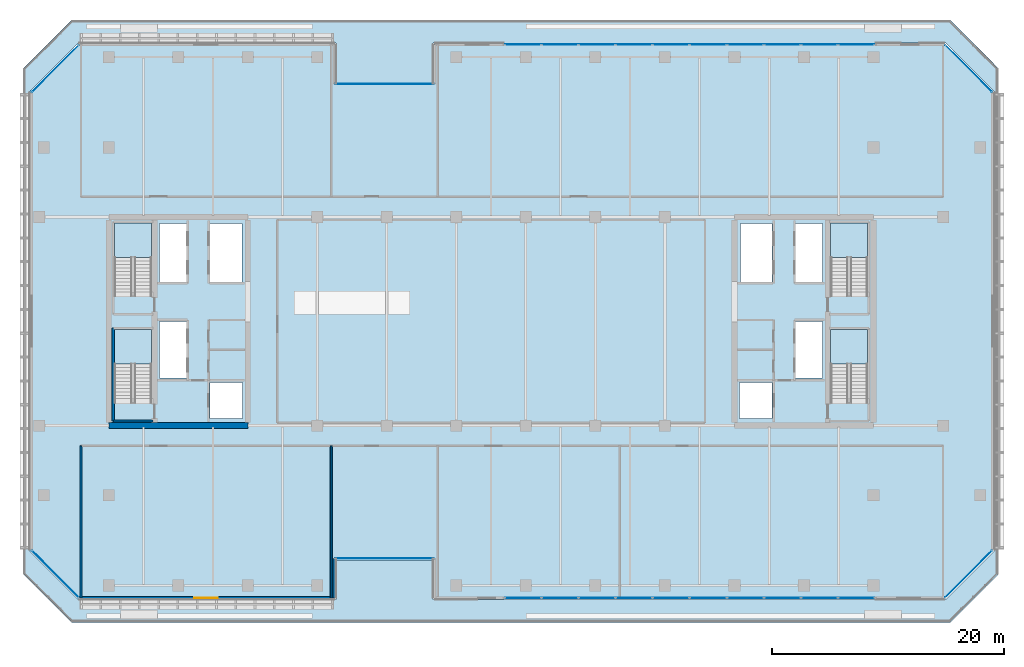
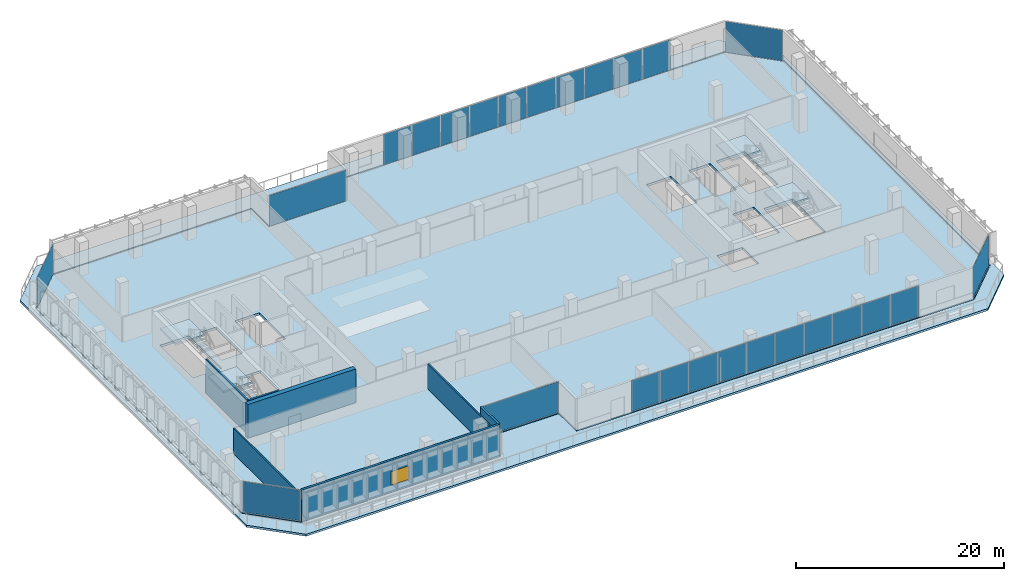
# One storey, part 27 of 38: 26 plates, 7 walls, 6 slabs, 1 window, 1 opening, 12 elements without a shape of their own.
"""IFC4 building model written with IfcOpenShell, lengths in metres."""

from ifc_helpers import new_model, si_unit, direction, frame, frame_2d, origin, origin_2d, place, context, subcontext, project, spatial, polyline, rectangle, outline, extrude, material, layer, layer_set, type_object, element, fill, aggregate, save


model = new_model("IFC4")

# Units and contexts
model_context = context("Model", 3, precision=1e-05, world=origin(), true_north=direction((0.0, 1.0)))
body_context = subcontext(model_context, "Body", "Model", "MODEL_VIEW")
ifc_project = project(units=[si_unit("LENGTHUNIT", "METRE"), si_unit("AREAUNIT", "SQUARE_METRE"), si_unit("VOLUMEUNIT", "CUBIC_METRE"), si_unit("PLANEANGLEUNIT", "RADIAN"), si_unit("MASSUNIT", "GRAM", prefix="KILO")], contexts=[model_context])

# Site, building, storey
site_placement = place(None, origin())
site = spatial("IfcSite", under=ifc_project, at=site_placement, CompositionType="ELEMENT")
building_placement = place(site_placement, origin())
building = spatial("IfcBuilding", under=site, at=building_placement, Name="Tanjung Sevakor Pilgrim Tower", CompositionType="ELEMENT")
storey_placement = place(building_placement, frame((0.0, 0.0, 78.2099609375)))
storey = spatial("IfcBuildingStorey", under=building, at=storey_placement, Name="L21", CompositionType="ELEMENT", Elevation=78.2099609375)

# Stair, slab
ifc_material_1 = material(Name="Concrete C40/50", Category="concrete")
stair_type = type_object("IfcStairType", Name="STAIR-ST-CR150", PredefinedType="HALF_TURN_STAIR", material=ifc_material_1)
stair_1_placement = place(storey_placement, origin())
stair_1 = element("IfcStair", 1, at=stair_1_placement, inside=storey, type_object=stair_type, Name="L21 West Core Exit Stair 1", PredefinedType="HALF_TURN_STAIR")
ifc_material_2 = material(Name="Concrete C40/50", Category="concrete")
ifc_layer_1 = layer(ifc_material_2, 0.199951171875)
ifc_layer_set_1 = layer_set([ifc_layer_1], Name="SL-LAND-200")
slab_type_1 = type_object("IfcSlabType", Name="SL-LAND-200", PredefinedType="LANDING", material=ifc_layer_set_1)
slab_1_placement = place(storey_placement, frame((0.0, 0.0, 1.780029296875)))
slab_1 = element("IfcSlab", 2, at=slab_1_placement, type_object=slab_type_1, Name="TS-W1 landing 1", PredefinedType="LANDING", context=body_context, shape_type="SweptSolid", body=[
    extrude(outline(polyline([(27.699951171875, 29.89990234375), (27.699951171875, 32.89990234375), (24.5, 32.89990234375), (24.5, 29.89990234375), (27.699951171875, 29.89990234375)])), origin(), (0.0, 0.0, 1.0), 0.199951171875),
])
aggregate(stair_1, [slab_1])

stair_2_placement = place(storey_placement, origin())
stair_2 = element("IfcStair", 3, at=stair_2_placement, inside=storey, type_object=stair_type, Name="L21 West Core Exit Stair 2", PredefinedType="HALF_TURN_STAIR")
slab_2_placement = place(storey_placement, frame((0.0, 0.0, 1.780029296875)))
slab_2 = element("IfcSlab", 4, at=slab_2_placement, type_object=slab_type_1, Name="TS-W2 landing 1", PredefinedType="LANDING", context=body_context, shape_type="SweptSolid", body=[
    extrude(outline(polyline([(27.699951171875, 39.10009765625), (27.699951171875, 42.10009765625), (24.5, 42.10009765625), (24.5, 39.10009765625), (27.699951171875, 39.10009765625)])), origin(), (0.0, 0.0, 1.0), 0.199951171875),
])
aggregate(stair_2, [slab_2])

stair_3_placement = place(storey_placement, origin())
stair_3 = element("IfcStair", 5, at=stair_3_placement, inside=storey, type_object=stair_type, Name="L21 East Core Exit Stair 1", PredefinedType="HALF_TURN_STAIR")
slab_3_placement = place(storey_placement, frame((0.0, 0.0, 1.780029296875)))
slab_3 = element("IfcSlab", 6, at=slab_3_placement, type_object=slab_type_1, Name="TS-E1 landing 1", PredefinedType="LANDING", context=body_context, shape_type="SweptSolid", body=[
    extrude(outline(polyline([(89.5, 29.89990234375), (89.5, 32.89990234375), (86.300048828125, 32.89990234375), (86.300048828125, 29.89990234375), (89.5, 29.89990234375)])), origin(), (0.0, 0.0, 1.0), 0.199951171875),
])
aggregate(stair_3, [slab_3])

stair_4_placement = place(storey_placement, origin())
stair_4 = element("IfcStair", 7, at=stair_4_placement, inside=storey, type_object=stair_type, Name="L21 East Core Exit Stair 2", PredefinedType="HALF_TURN_STAIR")
slab_4_placement = place(storey_placement, frame((0.0, 0.0, 1.780029296875)))
slab_4 = element("IfcSlab", 8, at=slab_4_placement, type_object=slab_type_1, Name="TS-E2 landing 1", PredefinedType="LANDING", context=body_context, shape_type="SweptSolid", body=[
    extrude(outline(polyline([(89.5, 39.10009765625), (89.5, 42.10009765625), (86.300048828125, 42.10009765625), (86.300048828125, 39.10009765625), (89.5, 39.10009765625)])), origin(), (0.0, 0.0, 1.0), 0.199951171875),
])
aggregate(stair_4, [slab_4])

# Slabs
ifc_material_3 = material(Name="Concrete C40/50", Category="concrete")
ifc_layer_2 = layer(ifc_material_3, 0.280029296875)
ifc_layer_set_2 = layer_set([ifc_layer_2], Name="SL-SKY-280")
slab_type_2 = type_object("IfcSlabType", Name="SL-SKY-280", PredefinedType="FLOOR", material=ifc_layer_set_2)
slab_5_placement = place(storey_placement, frame((0.0, 0.0, -0.280029296875)))
element("IfcSlab", 9, at=slab_5_placement, inside=storey, type_object=slab_type_2, Name="L21 Floor Slab MAIN", PredefinedType="FLOOR", context=body_context, shape_type="SweptSolid", body=[
    extrude(outline(polyline([(21.447021484375, 9.679931640625), (43.52001953125, 9.679931640625), (43.52001953125, 13.080078125), (52.080078125, 13.080078125), (52.080078125, 9.679931640625), (96.153076171875, 9.679931640625), (100.320068359375, 13.846923828125), (100.320068359375, 53.35302734375), (96.153076171875, 57.52001953125), (52.080078125, 57.52001953125), (52.080078125, 54.1201171875), (43.52001953125, 54.1201171875), (43.52001953125, 57.52001953125), (21.447021484375, 57.52001953125), (17.280029296875, 53.35302734375), (17.280029296875, 13.846923828125), (21.447021484375, 9.679931640625)]), holes=[polyline([(27.699951171875, 26.60009765625), (27.699951171875, 32.89990234375), (24.5, 32.89990234375), (24.5, 26.60009765625), (27.699951171875, 26.60009765625)]), polyline([(27.699951171875, 35.800048828125), (27.699951171875, 42.10009765625), (24.5, 42.10009765625), (24.5, 35.800048828125), (27.699951171875, 35.800048828125)]), polyline([(89.5, 26.60009765625), (89.5, 32.89990234375), (86.300048828125, 32.89990234375), (86.300048828125, 26.60009765625), (89.5, 26.60009765625)]), polyline([(89.5, 35.800048828125), (89.5, 42.10009765625), (86.300048828125, 42.10009765625), (86.300048828125, 35.800048828125), (89.5, 35.800048828125)]), polyline([(32.75, 25.199951171875), (35.550048828125, 25.199951171875), (35.550048828125, 28.300048828125), (32.75, 28.300048828125), (32.75, 25.199951171875)]), polyline([(28.39990234375, 28.699951171875), (30.75, 28.699951171875), (30.75, 33.60009765625), (28.39990234375, 33.60009765625), (28.39990234375, 28.699951171875)]), polyline([(28.39990234375, 37.0), (30.75, 37.0), (30.75, 42.050048828125), (28.39990234375, 42.050048828125), (28.39990234375, 37.0)]), polyline([(32.75, 37.0), (35.5, 37.0), (35.5, 42.050048828125), (32.75, 42.050048828125), (32.75, 37.0)]), polyline([(78.449951171875, 25.199951171875), (81.25, 25.199951171875), (81.25, 28.300048828125), (78.449951171875, 28.300048828125), (78.449951171875, 25.199951171875)]), polyline([(83.25, 28.699951171875), (85.60009765625, 28.699951171875), (85.60009765625, 33.60009765625), (83.25, 33.60009765625), (83.25, 28.699951171875)]), polyline([(83.25, 37.0), (85.60009765625, 37.0), (85.60009765625, 42.050048828125), (83.25, 42.050048828125), (83.25, 37.0)]), polyline([(78.5, 37.0), (81.25, 37.0), (81.25, 42.050048828125), (78.5, 42.050048828125), (78.5, 37.0)])]), origin(), (0.0, 0.0, 1.0), 0.280029296875),
])
ifc_material_4 = material(Name="Concrete C40/50", Category="concrete")
ifc_layer_3 = layer(ifc_material_4, 0.239990234375)
ifc_layer_set_3 = layer_set([ifc_layer_3], Name="SL-TER-240")
slab_type_3 = type_object("IfcSlabType", Name="SL-TER-240", PredefinedType="FLOOR", material=ifc_layer_set_3)
slab_6_placement = place(storey_placement, frame((0.0, 0.0, -0.239990234375)))
element("IfcSlab", 10, at=slab_6_placement, inside=storey, type_object=slab_type_3, Name="L21 Setback Sky Terrace Ring", PredefinedType="FLOOR", context=body_context, shape_type="SweptSolid", body=[
    extrude(outline(polyline([(20.800048828125, 7.60009765625), (96.60009765625, 7.60009765625), (100.800048828125, 11.800048828125), (100.800048828125, 55.39990234375), (96.60009765625, 59.60009765625), (20.800048828125, 59.60009765625), (16.60009765625, 55.39990234375), (16.60009765625, 11.800048828125), (20.800048828125, 7.60009765625)]), holes=[polyline([(21.38818359375, 9.580078125), (43.6201171875, 9.580078125), (43.6201171875, 12.97998046875), (51.97998046875, 12.97998046875), (51.97998046875, 9.580078125), (96.211669921875, 9.580078125), (100.419921875, 13.788330078125), (100.419921875, 53.41162109375), (96.211669921875, 57.6201171875), (51.97998046875, 57.6201171875), (51.97998046875, 54.219970703125), (43.6201171875, 54.219970703125), (43.6201171875, 57.6201171875), (21.38818359375, 57.6201171875), (17.179931640625, 53.41162109375), (17.179931640625, 13.788330078125), (21.38818359375, 9.580078125)])]), origin(), (0.0, 0.0, 1.0), 0.239990234375),
])

# Curtain wall, plate
ifc_material_5 = material(Name="Aluminium 6063-T6 and Low-E Glass", Category="aluminium")
ifc_layer_4 = layer(ifc_material_5, 0.179931640625)
ifc_layer_set_4 = layer_set([ifc_layer_4], Name="CW-SYS-CLEFT")
curtain_wall_type_1 = type_object("IfcCurtainWallType", Name="CW-SYS-CLEFT", PredefinedType="NOTDEFINED", material=ifc_layer_set_4)
curtain_wall_1_placement = place(storey_placement, origin())
curtain_wall_1 = element("IfcCurtainWall", 11, at=curtain_wall_1_placement, inside=storey, type_object=curtain_wall_type_1, Name="L21 Curtain Wall CW-CLF-L21-2", PredefinedType="NOTDEFINED")
ifc_material_6 = material(Name="Laminated Low-E Double Glazing", Category="glass")
ifc_layer_5 = layer(ifc_material_6, 0.028076171875)
ifc_layer_set_5 = layer_set([ifc_layer_5], Name="TYPE-CWP-GLZ1")
plate_type_1 = type_object("IfcPlateType", Name="TYPE-CWP-GLZ1", PredefinedType="CURTAIN_PANEL", material=ifc_layer_set_5)
plate_1_placement = place(storey_placement, frame((47.800048828125, 13.125, 0.06494140625), z_axis=(0.0, 0.0, 1.0), x_axis=(1.0, 0.0, 0.0)))
plate_1 = element("IfcPlate", 12, at=plate_1_placement, type_object=plate_type_1, Name="CW-CLF panel 1.1", PredefinedType="CURTAIN_PANEL", context=body_context, shape_type="SweptSolid", body=[
    extrude(rectangle(XDim=8.5, YDim=0.028076171875, at=origin_2d()), origin(), (0.0, 0.0, 1.0), 3.610107421875),
])
aggregate(curtain_wall_1, [plate_1])

ifc_material_7 = material(Name="Aluminium 6063-T6 and Low-E Glass", Category="aluminium")
ifc_layer_6 = layer(ifc_material_7, 0.179931640625)
ifc_layer_set_6 = layer_set([ifc_layer_6], Name="CW-SYS-CHAM")
curtain_wall_type_2 = type_object("IfcCurtainWallType", Name="CW-SYS-CHAM", PredefinedType="NOTDEFINED", material=ifc_layer_set_6)
curtain_wall_2_placement = place(storey_placement, origin())
curtain_wall_2 = element("IfcCurtainWall", 13, at=curtain_wall_2_placement, inside=storey, type_object=curtain_wall_type_2, Name="L21 Curtain Wall CW-CHM-L21-MAIN-5", PredefinedType="NOTDEFINED")
plate_2_placement = place(storey_placement, frame((98.211669921875, 11.788330078125, 0.06494140625), z_axis=(0.0, 0.0, 1.0), x_axis=(0.707106781187, 0.707106781187, 0.0)))
plate_2 = element("IfcPlate", 14, at=plate_2_placement, type_object=plate_type_1, Name="CW-CHM panel 1.1", PredefinedType="CURTAIN_PANEL", context=body_context, shape_type="SweptSolid", body=[
    extrude(rectangle(XDim=5.7060546875, YDim=0.028076171875, at=origin_2d()), origin(), (0.0, 0.0, 1.0), 3.610107421875),
])
aggregate(curtain_wall_2, [plate_2])

curtain_wall_3_placement = place(storey_placement, origin())
curtain_wall_3 = element("IfcCurtainWall", 15, at=curtain_wall_3_placement, inside=storey, type_object=curtain_wall_type_2, Name="L21 Curtain Wall CW-CHM-L21-MAIN-7", PredefinedType="NOTDEFINED")
plate_3_placement = place(storey_placement, frame((98.211669921875, 55.41162109375, 0.06494140625), z_axis=(0.0, 0.0, 1.0), x_axis=(-0.707106781187, 0.707106781187, 0.0)))
plate_3 = element("IfcPlate", 16, at=plate_3_placement, type_object=plate_type_1, Name="CW-CHM panel 1.1", PredefinedType="CURTAIN_PANEL", context=body_context, shape_type="SweptSolid", body=[
    extrude(rectangle(XDim=5.7060546875, YDim=0.028076171875, at=origin_2d()), origin(), (0.0, 0.0, 1.0), 3.610107421875),
])
aggregate(curtain_wall_3, [plate_3])

curtain_wall_4_placement = place(storey_placement, origin())
curtain_wall_4 = element("IfcCurtainWall", 17, at=curtain_wall_4_placement, inside=storey, type_object=curtain_wall_type_1, Name="L21 Curtain Wall CW-CLF-L21-10", PredefinedType="NOTDEFINED")
plate_4_placement = place(storey_placement, frame((47.800048828125, 54.074951171875, 0.06494140625), z_axis=(0.0, 0.0, 1.0), x_axis=(-1.0, 0.0, 0.0)))
plate_4 = element("IfcPlate", 18, at=plate_4_placement, type_object=plate_type_1, Name="CW-CLF panel 1.1", PredefinedType="CURTAIN_PANEL", context=body_context, shape_type="SweptSolid", body=[
    extrude(rectangle(XDim=8.5, YDim=0.028076171875, at=origin_2d()), origin(), (0.0, 0.0, 1.0), 3.610107421875),
])
aggregate(curtain_wall_4, [plate_4])

curtain_wall_5_placement = place(storey_placement, origin())
curtain_wall_5 = element("IfcCurtainWall", 19, at=curtain_wall_5_placement, inside=storey, type_object=curtain_wall_type_2, Name="L21 Curtain Wall CW-CHM-L21-MAIN-13", PredefinedType="NOTDEFINED")
plate_5_placement = place(storey_placement, frame((19.388427734375, 55.41162109375, 0.06494140625), z_axis=(0.0, 0.0, 1.0), x_axis=(-0.707106781187, -0.707106781187, 0.0)))
plate_5 = element("IfcPlate", 20, at=plate_5_placement, type_object=plate_type_1, Name="CW-CHM panel 1.1", PredefinedType="CURTAIN_PANEL", context=body_context, shape_type="SweptSolid", body=[
    extrude(rectangle(XDim=5.7060546875, YDim=0.028076171875, at=origin_2d()), origin(), (0.0, 0.0, 1.0), 3.610107421875),
])
aggregate(curtain_wall_5, [plate_5])

curtain_wall_6_placement = place(storey_placement, origin())
curtain_wall_6 = element("IfcCurtainWall", 21, at=curtain_wall_6_placement, inside=storey, type_object=curtain_wall_type_2, Name="L21 Curtain Wall CW-CHM-L21-MAIN-15", PredefinedType="NOTDEFINED")
plate_6_placement = place(storey_placement, frame((19.388427734375, 11.788330078125, 0.06494140625), z_axis=(0.0, 0.0, 1.0), x_axis=(0.707106781187, -0.707106781187, 0.0)))
plate_6 = element("IfcPlate", 22, at=plate_6_placement, type_object=plate_type_1, Name="CW-CHM panel 1.1", PredefinedType="CURTAIN_PANEL", context=body_context, shape_type="SweptSolid", body=[
    extrude(rectangle(XDim=5.7060546875, YDim=0.028076171875, at=origin_2d()), origin(), (0.0, 0.0, 1.0), 3.610107421875),
])
aggregate(curtain_wall_6, [plate_6])

# Curtain wall, plates
ifc_material_8 = material(Name="Aluminium 6063-T6 and Low-E Glass", Category="aluminium")
ifc_layer_7 = layer(ifc_material_8, 0.199951171875)
ifc_layer_set_7 = layer_set([ifc_layer_7], Name="CW-SYS-SKY")
curtain_wall_type_3 = type_object("IfcCurtainWallType", Name="CW-SYS-SKY", PredefinedType="NOTDEFINED", material=ifc_layer_set_7)
curtain_wall_7_placement = place(storey_placement, origin())
curtain_wall_7 = element("IfcCurtainWall", 23, at=curtain_wall_7_placement, inside=storey, type_object=curtain_wall_type_3, Name="L21 Curtain Wall CW-SKY-L21-S", PredefinedType="NOTDEFINED")
ifc_material_9 = material(Name="Solar-Control Low-E Acoustic Glazing", Category="glass")
ifc_layer_8 = layer(ifc_material_9, 0.031982421875)
ifc_layer_set_8 = layer_set([ifc_layer_8], Name="TYPE-CWP-GLZ2")
plate_type_2 = type_object("IfcPlateType", Name="TYPE-CWP-GLZ2", PredefinedType="CURTAIN_PANEL", material=ifc_layer_set_8)
plate_7_placement = place(storey_placement, frame((59.744873046875, 9.72509765625, 0.0751953125), z_axis=(0.0, 0.0, 1.0), x_axis=(1.0, 0.0, 0.0)))
plate_7 = element("IfcPlate", 24, at=plate_7_placement, type_object=plate_type_2, Name="CW-SKY panel 1.1", PredefinedType="CURTAIN_PANEL", context=body_context, shape_type="SweptSolid", body=[
    extrude(rectangle(XDim=3.08984375, YDim=0.031982421875, at=origin_2d()), origin(), (0.0, 0.0, 1.0), 3.590087890625),
])
plate_8_placement = place(storey_placement, frame((62.928466796875, 9.72509765625, 0.0751953125), z_axis=(0.0, 0.0, 1.0), x_axis=(1.0, 0.0, 0.0)))
plate_8 = element("IfcPlate", 25, at=plate_8_placement, type_object=plate_type_2, Name="CW-SKY panel 2.1", PredefinedType="CURTAIN_PANEL", context=body_context, shape_type="SweptSolid", body=[
    extrude(rectangle(XDim=3.12744140625, YDim=0.031982421875, at=origin_2d()), origin(), (0.0, 0.0, 1.0), 3.590087890625),
])
plate_9_placement = place(storey_placement, frame((66.130859375, 9.72509765625, 0.0751953125), z_axis=(0.0, 0.0, 1.0), x_axis=(1.0, 0.0, 0.0)))
plate_9 = element("IfcPlate", 26, at=plate_9_placement, type_object=plate_type_2, Name="CW-SKY panel 3.1", PredefinedType="CURTAIN_PANEL", context=body_context, shape_type="SweptSolid", body=[
    extrude(rectangle(XDim=3.12744140625, YDim=0.031982421875, at=origin_2d()), origin(), (0.0, 0.0, 1.0), 3.590087890625),
])
plate_10_placement = place(storey_placement, frame((69.3330078125, 9.72509765625, 0.0751953125), z_axis=(0.0, 0.0, 1.0), x_axis=(1.0, 0.0, 0.0)))
plate_10 = element("IfcPlate", 27, at=plate_10_placement, type_object=plate_type_2, Name="CW-SKY panel 4.1", PredefinedType="CURTAIN_PANEL", context=body_context, shape_type="SweptSolid", body=[
    extrude(rectangle(XDim=3.12744140625, YDim=0.031982421875, at=origin_2d()), origin(), (0.0, 0.0, 1.0), 3.590087890625),
])
plate_11_placement = place(storey_placement, frame((72.535400390625, 9.72509765625, 0.0751953125), z_axis=(0.0, 0.0, 1.0), x_axis=(1.0, 0.0, 0.0)))
plate_11 = element("IfcPlate", 28, at=plate_11_placement, type_object=plate_type_2, Name="CW-SKY panel 5.1", PredefinedType="CURTAIN_PANEL", context=body_context, shape_type="SweptSolid", body=[
    extrude(rectangle(XDim=3.12744140625, YDim=0.031982421875, at=origin_2d()), origin(), (0.0, 0.0, 1.0), 3.590087890625),
])
plate_12_placement = place(storey_placement, frame((75.73779296875, 9.72509765625, 0.0751953125), z_axis=(0.0, 0.0, 1.0), x_axis=(1.0, 0.0, 0.0)))
plate_12 = element("IfcPlate", 29, at=plate_12_placement, type_object=plate_type_2, Name="CW-SKY panel 6.1", PredefinedType="CURTAIN_PANEL", context=body_context, shape_type="SweptSolid", body=[
    extrude(rectangle(XDim=3.12744140625, YDim=0.031982421875, at=origin_2d()), origin(), (0.0, 0.0, 1.0), 3.590087890625),
])
plate_13_placement = place(storey_placement, frame((78.940185546875, 9.72509765625, 0.0751953125), z_axis=(0.0, 0.0, 1.0), x_axis=(1.0, 0.0, 0.0)))
plate_13 = element("IfcPlate", 30, at=plate_13_placement, type_object=plate_type_2, Name="CW-SKY panel 7.1", PredefinedType="CURTAIN_PANEL", context=body_context, shape_type="SweptSolid", body=[
    extrude(rectangle(XDim=3.12744140625, YDim=0.031982421875, at=origin_2d()), origin(), (0.0, 0.0, 1.0), 3.590087890625),
])
plate_14_placement = place(storey_placement, frame((82.142333984375, 9.72509765625, 0.0751953125), z_axis=(0.0, 0.0, 1.0), x_axis=(1.0, 0.0, 0.0)))
plate_14 = element("IfcPlate", 31, at=plate_14_placement, type_object=plate_type_2, Name="CW-SKY panel 8.1", PredefinedType="CURTAIN_PANEL", context=body_context, shape_type="SweptSolid", body=[
    extrude(rectangle(XDim=3.12744140625, YDim=0.031982421875, at=origin_2d()), origin(), (0.0, 0.0, 1.0), 3.590087890625),
])
plate_15_placement = place(storey_placement, frame((85.3447265625, 9.72509765625, 0.0751953125), z_axis=(0.0, 0.0, 1.0), x_axis=(1.0, 0.0, 0.0)))
plate_15 = element("IfcPlate", 32, at=plate_15_placement, type_object=plate_type_2, Name="CW-SKY panel 9.1", PredefinedType="CURTAIN_PANEL", context=body_context, shape_type="SweptSolid", body=[
    extrude(rectangle(XDim=3.12744140625, YDim=0.031982421875, at=origin_2d()), origin(), (0.0, 0.0, 1.0), 3.590087890625),
])
plate_16_placement = place(storey_placement, frame((88.5283203125, 9.72509765625, 0.0751953125), z_axis=(0.0, 0.0, 1.0), x_axis=(1.0, 0.0, 0.0)))
plate_16 = element("IfcPlate", 33, at=plate_16_placement, type_object=plate_type_2, Name="CW-SKY panel 10.1", PredefinedType="CURTAIN_PANEL", context=body_context, shape_type="SweptSolid", body=[
    extrude(rectangle(XDim=3.08984375, YDim=0.031982421875, at=origin_2d()), origin(), (0.0, 0.0, 1.0), 3.590087890625),
])
aggregate(curtain_wall_7, [plate_7, plate_8, plate_9, plate_10, plate_11, plate_12, plate_13, plate_14, plate_15, plate_16])

curtain_wall_8_placement = place(storey_placement, origin())
curtain_wall_8 = element("IfcCurtainWall", 34, at=curtain_wall_8_placement, inside=storey, type_object=curtain_wall_type_3, Name="L21 Curtain Wall CW-SKY-L21-N", PredefinedType="NOTDEFINED")
plate_17_placement = place(storey_placement, frame((88.5283203125, 57.47509765625, 0.0751953125), z_axis=(0.0, 0.0, 1.0), x_axis=(-1.0, 0.0, 0.0)))
plate_17 = element("IfcPlate", 35, at=plate_17_placement, type_object=plate_type_2, Name="CW-SKY panel 1.1", PredefinedType="CURTAIN_PANEL", context=body_context, shape_type="SweptSolid", body=[
    extrude(rectangle(XDim=3.08984375, YDim=0.031982421875, at=origin_2d()), origin(), (0.0, 0.0, 1.0), 3.590087890625),
])
plate_18_placement = place(storey_placement, frame((85.3447265625, 57.47509765625, 0.0751953125), z_axis=(0.0, 0.0, 1.0), x_axis=(-1.0, 0.0, 0.0)))
plate_18 = element("IfcPlate", 36, at=plate_18_placement, type_object=plate_type_2, Name="CW-SKY panel 2.1", PredefinedType="CURTAIN_PANEL", context=body_context, shape_type="SweptSolid", body=[
    extrude(rectangle(XDim=3.12744140625, YDim=0.031982421875, at=origin_2d()), origin(), (0.0, 0.0, 1.0), 3.590087890625),
])
plate_19_placement = place(storey_placement, frame((82.142333984375, 57.47509765625, 0.0751953125), z_axis=(0.0, 0.0, 1.0), x_axis=(-1.0, 0.0, 0.0)))
plate_19 = element("IfcPlate", 37, at=plate_19_placement, type_object=plate_type_2, Name="CW-SKY panel 3.1", PredefinedType="CURTAIN_PANEL", context=body_context, shape_type="SweptSolid", body=[
    extrude(rectangle(XDim=3.12744140625, YDim=0.031982421875, at=origin_2d()), origin(), (0.0, 0.0, 1.0), 3.590087890625),
])
plate_20_placement = place(storey_placement, frame((78.940185546875, 57.47509765625, 0.0751953125), z_axis=(0.0, 0.0, 1.0), x_axis=(-1.0, 0.0, 0.0)))
plate_20 = element("IfcPlate", 38, at=plate_20_placement, type_object=plate_type_2, Name="CW-SKY panel 4.1", PredefinedType="CURTAIN_PANEL", context=body_context, shape_type="SweptSolid", body=[
    extrude(rectangle(XDim=3.12744140625, YDim=0.031982421875, at=origin_2d()), origin(), (0.0, 0.0, 1.0), 3.590087890625),
])
plate_21_placement = place(storey_placement, frame((75.73779296875, 57.47509765625, 0.0751953125), z_axis=(0.0, 0.0, 1.0), x_axis=(-1.0, 0.0, 0.0)))
plate_21 = element("IfcPlate", 39, at=plate_21_placement, type_object=plate_type_2, Name="CW-SKY panel 5.1", PredefinedType="CURTAIN_PANEL", context=body_context, shape_type="SweptSolid", body=[
    extrude(rectangle(XDim=3.12744140625, YDim=0.031982421875, at=origin_2d()), origin(), (0.0, 0.0, 1.0), 3.590087890625),
])
plate_22_placement = place(storey_placement, frame((72.535400390625, 57.47509765625, 0.0751953125), z_axis=(0.0, 0.0, 1.0), x_axis=(-1.0, 0.0, 0.0)))
plate_22 = element("IfcPlate", 40, at=plate_22_placement, type_object=plate_type_2, Name="CW-SKY panel 6.1", PredefinedType="CURTAIN_PANEL", context=body_context, shape_type="SweptSolid", body=[
    extrude(rectangle(XDim=3.12744140625, YDim=0.031982421875, at=origin_2d()), origin(), (0.0, 0.0, 1.0), 3.590087890625),
])
plate_23_placement = place(storey_placement, frame((69.3330078125, 57.47509765625, 0.0751953125), z_axis=(0.0, 0.0, 1.0), x_axis=(-1.0, 0.0, 0.0)))
plate_23 = element("IfcPlate", 41, at=plate_23_placement, type_object=plate_type_2, Name="CW-SKY panel 7.1", PredefinedType="CURTAIN_PANEL", context=body_context, shape_type="SweptSolid", body=[
    extrude(rectangle(XDim=3.12744140625, YDim=0.031982421875, at=origin_2d()), origin(), (0.0, 0.0, 1.0), 3.590087890625),
])
plate_24_placement = place(storey_placement, frame((66.130859375, 57.47509765625, 0.0751953125), z_axis=(0.0, 0.0, 1.0), x_axis=(-1.0, 0.0, 0.0)))
plate_24 = element("IfcPlate", 42, at=plate_24_placement, type_object=plate_type_2, Name="CW-SKY panel 8.1", PredefinedType="CURTAIN_PANEL", context=body_context, shape_type="SweptSolid", body=[
    extrude(rectangle(XDim=3.12744140625, YDim=0.031982421875, at=origin_2d()), origin(), (0.0, 0.0, 1.0), 3.590087890625),
])
plate_25_placement = place(storey_placement, frame((62.928466796875, 57.47509765625, 0.0751953125), z_axis=(0.0, 0.0, 1.0), x_axis=(-1.0, 0.0, 0.0)))
plate_25 = element("IfcPlate", 43, at=plate_25_placement, type_object=plate_type_2, Name="CW-SKY panel 9.1", PredefinedType="CURTAIN_PANEL", context=body_context, shape_type="SweptSolid", body=[
    extrude(rectangle(XDim=3.12744140625, YDim=0.031982421875, at=origin_2d()), origin(), (0.0, 0.0, 1.0), 3.590087890625),
])
plate_26_placement = place(storey_placement, frame((59.744873046875, 57.47509765625, 0.0751953125), z_axis=(0.0, 0.0, 1.0), x_axis=(-1.0, 0.0, 0.0)))
plate_26 = element("IfcPlate", 44, at=plate_26_placement, type_object=plate_type_2, Name="CW-SKY panel 10.1", PredefinedType="CURTAIN_PANEL", context=body_context, shape_type="SweptSolid", body=[
    extrude(rectangle(XDim=3.08984375, YDim=0.031982421875, at=origin_2d()), origin(), (0.0, 0.0, 1.0), 3.590087890625),
])
aggregate(curtain_wall_8, [plate_17, plate_18, plate_19, plate_20, plate_21, plate_22, plate_23, plate_24, plate_25, plate_26])

# Walls
ifc_material_10 = material(Name="Concrete C60/75", Category="concrete")
ifc_layer_9 = layer(ifc_material_10, 0.5)
ifc_layer_set_9 = layer_set([ifc_layer_9], Name="WALL-CW-500")
wall_type_1 = type_object("IfcWallType", Name="WALL-CW-500", PredefinedType="SHEAR", material=ifc_layer_set_9)
wall_1_placement = place(storey_placement, frame((24.0, 24.60009765625, 0.0), z_axis=(0.0, 0.0, 1.0), x_axis=(1.0, 0.0, 0.0)))
element("IfcWall", 45, at=wall_1_placement, inside=storey, type_object=wall_type_1, Name="L21 W Core South Shear Wall", PredefinedType="SHEAR", context=body_context, shape_type="SweptSolid", body=[
    extrude(rectangle(XDim=12.0, YDim=0.5, at=frame_2d((6.0, 0.0))), origin(), (0.0, 0.0, 1.0), 3.9599609375),
])
ifc_material_11 = material(Name="Concrete C40/50", Category="concrete")
ifc_layer_10 = layer(ifc_material_11, 0.14990234375)
ifc_layer_set_10 = layer_set([ifc_layer_10], Name="WT-COMP-150")
wall_type_2 = type_object("IfcWallType", Name="WT-COMP-150", PredefinedType="SOLIDWALL", material=ifc_layer_set_10)
wall_2_placement = place(storey_placement, frame((21.60009765625, 9.699951171875, 0.0), z_axis=(0.0, 0.0, 1.0), x_axis=(0.0, 1.0, 0.0)))
element("IfcWall", 46, at=wall_2_placement, inside=storey, type_object=wall_type_2, Name="L21 Partition IW-L21-027", PredefinedType="SOLIDWALL", context=body_context, shape_type="SweptSolid", body=[
    extrude(rectangle(XDim=13.150146484375, YDim=0.14990234375, at=frame_2d((6.5751953125, 0.0))), origin(), (0.0, 0.0, 1.0), 2.9599609375),
])

# Wall, opening, window
ifc_material_12 = material(Name="Precast concrete C45/55", Category="concrete")
ifc_layer_11 = layer(ifc_material_12, 0.25)
ifc_layer_set_11 = layer_set([ifc_layer_11], Name="WT-EW-STN3")
wall_type_3 = type_object("IfcWallType", Name="WT-EW-STN3", PredefinedType="SOLIDWALL", material=ifc_layer_set_11)
wall_3_placement = place(storey_placement, frame((21.451904296875, 9.72509765625, 0.0), z_axis=(0.0, 0.0, 1.0), x_axis=(1.0, 0.0, 0.0)))
wall_3 = element("IfcWall", 47, at=wall_3_placement, inside=storey, type_object=wall_type_3, Name="L21 MAIN Exterior Wall 1", PredefinedType="SOLIDWALL", context=body_context, shape_type="SweptSolid", body=[
    extrude(rectangle(XDim=22.023193359375, YDim=0.25, at=frame_2d((11.01171875, 0.0))), origin(), (0.0, 0.0, 1.0), 3.739990234375),
])
opening_placement = place(wall_3_placement, frame((9.938232421875, 0.0, 0.780029296875)))
opening = element("IfcOpeningElement", 48, at=opening_placement, cuts=wall_3, Name="Opening WN-Z2-1660", PredefinedType="OPENING", context=body_context, shape_type="SweptSolid", body=[
    extrude(rectangle(XDim=2.0, YDim=1.659912109375, at=frame_2d((1.0, 0.830078125))), frame((0.0, 0.135009765625, 0.0), z_axis=(0.0, -1.0, 0.0), x_axis=(1.0, 0.0, 0.0)), (0.0, 0.0, 1.0), 0.27001953125),
])
ifc_material_13 = material(Name="Thermally Broken Aluminium and Low-E Glass", Category="aluminium")
window_type = type_object("IfcWindowType", Name="WTYP-WN-Z2-1660", PartitioningType="DOUBLE_PANEL_VERTICAL", PredefinedType="WINDOW", material=ifc_material_13)
window_placement = place(opening_placement, origin())
window = element("IfcWindow", 49, at=window_placement, inside=storey, type_object=window_type, Name="L21 Facade Window 01", OverallHeight=1.659912109375, OverallWidth=2.0, PartitioningType="SINGLE_PANEL", PredefinedType="WINDOW", context=body_context, shape_type="SweptSolid", body=[
    extrude(rectangle(XDim=2.0, YDim=1.659912109375, at=frame_2d((1.0, 0.830078125))), frame((0.0, 0.030029296875, 0.0), z_axis=(0.0, -1.0, 0.0), x_axis=(1.0, 0.0, 0.0)), (0.0, 0.0, 1.0), 0.06005859375),
])
fill(opening, window)

# Walls
wall_4_placement = place(storey_placement, frame((43.47509765625, 9.72509765625, 0.0), z_axis=(0.0, 0.0, 1.0), x_axis=(0.0, 1.0, 0.0)))
element("IfcWall", 50, at=wall_4_placement, inside=storey, type_object=wall_type_3, Name="L21 MAIN Exterior Wall 2", PredefinedType="SOLIDWALL", context=body_context, shape_type="SweptSolid", body=[
    extrude(rectangle(XDim=3.39990234375, YDim=0.25, at=frame_2d((1.699951171875, 0.0))), origin(), (0.0, 0.0, 1.0), 3.739990234375),
])
ifc_material_14 = material(Name="Concrete C40/50", Category="concrete")
ifc_layer_12 = layer(ifc_material_14, 0.199951171875)
ifc_layer_set_12 = layer_set([ifc_layer_12], Name="WT-FIRE-200")
wall_type_4 = type_object("IfcWallType", Name="WT-FIRE-200", PredefinedType="SOLIDWALL", material=ifc_layer_set_12)
wall_5_placement = place(storey_placement, frame((24.39990234375, 25.0, 0.0), z_axis=(0.0, 0.0, 1.0), x_axis=(1.0, 0.0, 0.0)))
element("IfcWall", 51, at=wall_5_placement, inside=storey, type_object=wall_type_4, Name="L21 TS-W1 Shaft Wall 1", PredefinedType="SOLIDWALL", context=body_context, shape_type="SweptSolid", body=[
    extrude(rectangle(XDim=3.400146484375, YDim=0.199951171875, at=frame_2d((1.7001953125, 0.0))), origin(), (0.0, 0.0, 1.0), 3.9599609375),
])
wall_6_placement = place(storey_placement, frame((24.39990234375, 33.0, 0.0), z_axis=(0.0, 0.0, 1.0), x_axis=(0.0, -1.0, 0.0)))
element("IfcWall", 52, at=wall_6_placement, inside=storey, type_object=wall_type_4, Name="L21 TS-W1 Shaft Wall 3", PredefinedType="SOLIDWALL", context=body_context, shape_type="SweptSolid", body=[
    extrude(rectangle(XDim=8.0, YDim=0.199951171875, at=frame_2d((4.0, 0.0))), origin(), (0.0, 0.0, 1.0), 3.9599609375),
])
ifc_material_15 = material(Name="Gypsum Board Partition", Category="gypsum board")
ifc_layer_13 = layer(ifc_material_15, 0.14990234375)
ifc_layer_set_13 = layer_set([ifc_layer_13], Name="WT-PART-150")
wall_type_5 = type_object("IfcWallType", Name="WT-PART-150", PredefinedType="PARTITIONING", material=ifc_layer_set_13)
wall_7_placement = place(storey_placement, frame((43.199951171875, 9.699951171875, 0.0), z_axis=(0.0, 0.0, 1.0), x_axis=(0.0, 1.0, 0.0)))
element("IfcWall", 53, at=wall_7_placement, inside=storey, type_object=wall_type_5, Name="L21 Partition IW-L21-028", PredefinedType="PARTITIONING", context=body_context, shape_type="SweptSolid", body=[
    extrude(rectangle(XDim=13.150146484375, YDim=0.14990234375, at=frame_2d((6.5751953125, 0.0))), origin(), (0.0, 0.0, 1.0), 2.9599609375),
])

save(model, "model.ifc")
